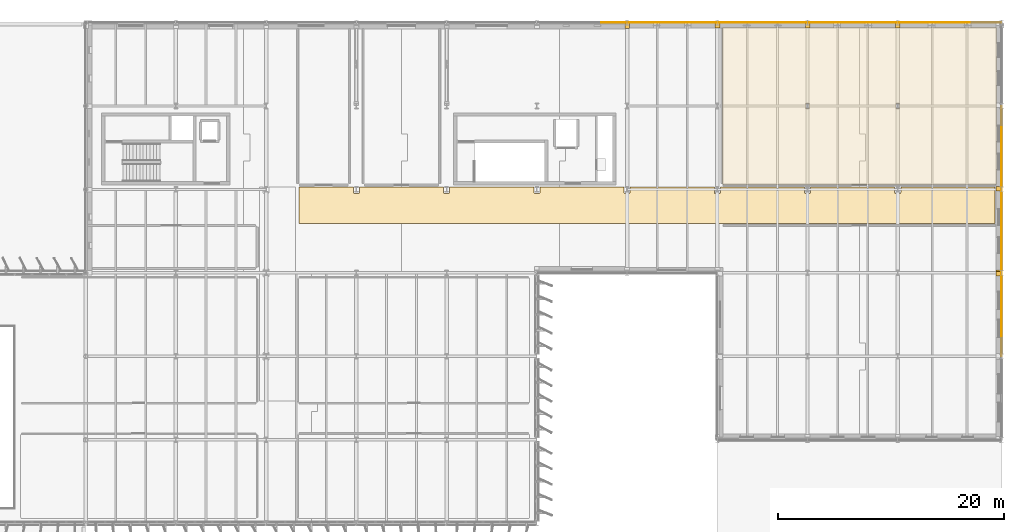
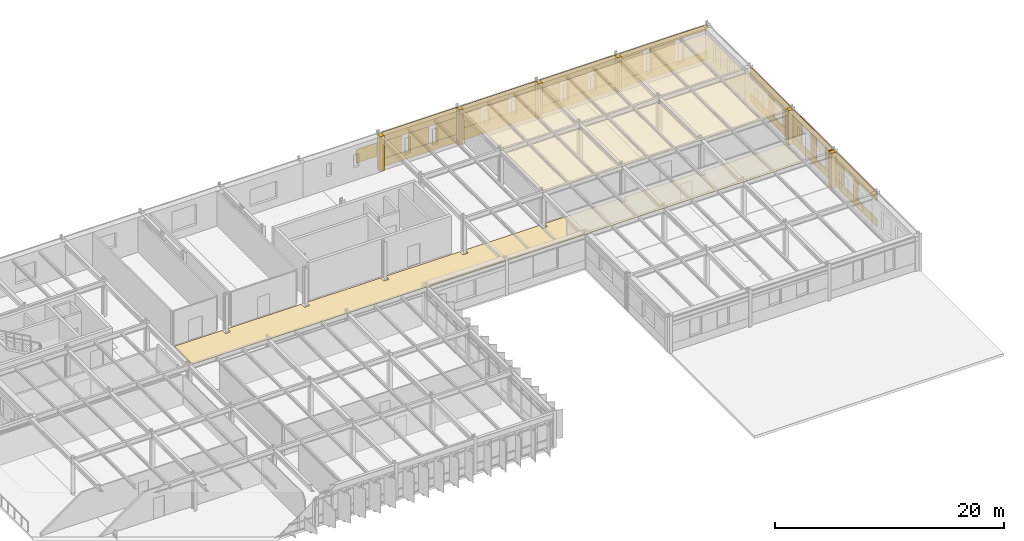
# One storey, part 55 of 56: 42 coverings.
"""IFC4 building model written with IfcOpenShell, lengths in metres."""

from ifc_helpers import new_model, si_unit, direction, frame, frame_2d, origin, origin_2d, place, context, subcontext, project, spatial, polyline, rectangle, outline, extrude, material, layer, layer_set, type_object, element, save


model = new_model("IFC4")

# Units and contexts
model_context = context("Model", 3, precision=1e-05, world=origin(), true_north=direction((0.0, 1.0)))
body_context = subcontext(model_context, "Body", "Model", "MODEL_VIEW")
ifc_project = project(units=[si_unit("LENGTHUNIT", "METRE"), si_unit("AREAUNIT", "SQUARE_METRE"), si_unit("VOLUMEUNIT", "CUBIC_METRE"), si_unit("PLANEANGLEUNIT", "RADIAN"), si_unit("MASSUNIT", "GRAM", prefix="KILO")], contexts=[model_context])

# Site, building, storey
site_placement = place(None, origin())
site = spatial("IfcSite", under=ifc_project, at=site_placement, CompositionType="ELEMENT")
building_placement = place(site_placement, origin())
building = spatial("IfcBuilding", under=site, at=building_placement, Name="Valkorina Park Police Headquarters", CompositionType="ELEMENT")
storey_placement = place(building_placement, frame((0.0, 0.0, 14.10009765625)))
storey = spatial("IfcBuildingStorey", under=building, at=storey_placement, Name="L04", CompositionType="ELEMENT", Elevation=14.10009765625)

# Coverings
ifc_material_1 = material(Name="Acoustic mineral board")
ifc_layer_1 = layer(ifc_material_1, 0.02490234375)
ifc_layer_set_1 = layer_set([ifc_layer_1], Name="Acoustic mineral board")
covering_type_1 = type_object("IfcCoveringType", Name="COV-CEILING-ACOUST", PredefinedType="CEILING", material=ifc_layer_set_1)
covering_1_placement = place(storey_placement, frame((0.0, 0.0, 3.14501953125)))
element("IfcCovering", 1, at=covering_1_placement, inside=storey, type_object=covering_type_1, Name="Scanning Electron Microscopy Lab Acoustic Suspended Ceiling", PredefinedType="CEILING", context=body_context, shape_type="SweptSolid", body=[
    extrude(outline(polyline([(161.55859375, 67.1044921875), (161.5595703125, 67.1123046875), (161.56005859375, 67.1201171875), (161.56005859375, 80.8798828125), (161.5595703125, 80.8876953125), (161.55859375, 80.8955078125), (161.556640625, 80.9033203125), (161.553955078125, 80.91064453125), (161.550537109375, 80.917724609375), (161.54638671875, 80.92431640625), (161.541748046875, 80.930908203125), (161.53662109375, 80.9365234375), (161.53076171875, 80.94189453125), (161.5244140625, 80.946533203125), (161.517578125, 80.95068359375), (161.510498046875, 80.953857421875), (161.503173828125, 80.95654296875), (161.49560546875, 80.95849609375), (161.48779296875, 80.959716796875), (161.47998046875, 80.9599609375), (137.320068359375, 80.9599609375), (137.312255859375, 80.959716796875), (137.304443359375, 80.95849609375), (137.296875, 80.95654296875), (137.289306640625, 80.953857421875), (137.2822265625, 80.95068359375), (137.275634765625, 80.946533203125), (137.269287109375, 80.94189453125), (137.263427734375, 80.9365234375), (137.25830078125, 80.930908203125), (137.25341796875, 80.92431640625), (137.24951171875, 80.917724609375), (137.24609375, 80.91064453125), (137.243408203125, 80.9033203125), (137.241455078125, 80.8955078125), (137.240478515625, 80.8876953125), (137.239990234375, 80.8798828125), (137.239990234375, 67.1201171875), (137.240478515625, 67.1123046875), (137.241455078125, 67.1044921875), (137.243408203125, 67.0966796875), (137.24609375, 67.08935546875), (137.24951171875, 67.082275390625), (137.25341796875, 67.07568359375), (137.25830078125, 67.069091796875), (137.263427734375, 67.0634765625), (137.269287109375, 67.05810546875), (137.275634765625, 67.053466796875), (137.2822265625, 67.04931640625), (137.289306640625, 67.046142578125), (137.296875, 67.04345703125), (137.304443359375, 67.04150390625), (137.312255859375, 67.040283203125), (137.320068359375, 67.0400390625), (161.47998046875, 67.0400390625), (161.48779296875, 67.040283203125), (161.49560546875, 67.04150390625), (161.503173828125, 67.04345703125), (161.510498046875, 67.046142578125), (161.517578125, 67.04931640625), (161.5244140625, 67.053466796875), (161.53076171875, 67.05810546875), (161.53662109375, 67.0634765625), (161.541748046875, 67.069091796875), (161.54638671875, 67.07568359375), (161.550537109375, 67.082275390625), (161.553955078125, 67.08935546875), (161.556640625, 67.0966796875), (161.55859375, 67.1044921875)]), holes=[polyline([(152.64990234375, 74.22509765625), (152.949951171875, 74.22509765625), (152.949951171875, 73.77490234375), (152.64990234375, 73.77490234375), (152.64990234375, 74.22509765625)]), polyline([(144.949951171875, 74.22509765625), (144.949951171875, 73.77490234375), (144.64990234375, 73.77490234375), (144.64990234375, 74.22509765625), (144.949951171875, 74.22509765625)])]), origin(), (0.0, 0.0, 1.0), 0.02490234375),
])
ifc_material_2 = material(Name="Precast concrete C40/50", Category="concrete")
ifc_layer_2 = layer(ifc_material_2, 0.044921875)
ifc_layer_set_2 = layer_set([ifc_layer_2], Name="Precast concrete C40/50")
covering_type_2 = type_object("IfcCoveringType", Name="COV-CLAD-DOLOMITE", PredefinedType="CLADDING", material=ifc_layer_set_2)
covering_2_placement = place(storey_placement, frame((128.81005859375, 81.110107421875, 0.0), z_axis=(0.0, 0.0, 1.0), x_axis=(1.0, 0.0, 0.0)))
element("IfcCovering", 2, at=covering_2_placement, inside=storey, type_object=covering_type_2, Name="L04 Exterior Joint Closure Pilaster B 2272", PredefinedType="CLADDING", context=body_context, shape_type="SweptSolid", body=[
    extrude(rectangle(XDim=0.419921875, YDim=0.52197265625, at=origin_2d()), origin(), (0.0, 0.0, 1.0), 3.739990234375),
])
covering_3_placement = place(storey_placement, frame((126.50732421875, 81.4150390625, 1.31982421875), z_axis=(0.0, 0.0, 1.0), x_axis=(1.0, 0.0, 0.0)))
element("IfcCovering", 3, at=covering_3_placement, inside=storey, type_object=covering_type_2, Name="L04 Calm Concrete Base Slot Pier 2277", PredefinedType="CLADDING", context=body_context, shape_type="SweptSolid", body=[
    extrude(rectangle(XDim=2.272705078125, YDim=0.044921875, at=frame_2d((1.13623046875, 0.0))), origin(), (0.0, 0.0, 1.0), 1.4599609375),
])
covering_4_placement = place(storey_placement, frame((136.81005859375, 81.14990234375, 0.0), z_axis=(0.0, 0.0, 1.0), x_axis=(1.0, 0.0, 0.0)))
element("IfcCovering", 4, at=covering_4_placement, inside=storey, type_object=covering_type_2, Name="L04 Exterior Joint Closure Pilaster B 2278", PredefinedType="CLADDING", context=body_context, shape_type="SweptSolid", body=[
    extrude(rectangle(XDim=0.419921875, YDim=0.449951171875, at=origin_2d()), origin(), (0.0, 0.0, 1.0), 3.719970703125),
])
covering_5_placement = place(storey_placement, frame((128.820068359375, 81.4150390625, 0.0), z_axis=(0.0, 0.0, 1.0), x_axis=(1.0, 0.0, 0.0)))
element("IfcCovering", 5, at=covering_5_placement, inside=storey, type_object=covering_type_2, Name="L04 Calm Concrete Base Sill Spandrel 2279", PredefinedType="CLADDING", context=body_context, shape_type="SweptSolid", body=[
    extrude(rectangle(XDim=7.9599609375, YDim=0.044921875, at=frame_2d((3.97998046875, 0.0))), origin(), (0.0, 0.0, 1.0), 0.869873046875),
])
covering_6_placement = place(storey_placement, frame((128.820068359375, 81.4150390625, 2.679931640625), z_axis=(0.0, 0.0, 1.0), x_axis=(1.0, 0.0, 0.0)))
element("IfcCovering", 6, at=covering_6_placement, inside=storey, type_object=covering_type_2, Name="L04 Calm Concrete Base Lintel Spandrel 2280", PredefinedType="CLADDING", context=body_context, shape_type="SweptSolid", body=[
    extrude(rectangle(XDim=7.9599609375, YDim=0.044921875, at=frame_2d((3.97998046875, 0.0))), origin(), (0.0, 0.0, 1.0), 1.0400390625),
])
covering_7_placement = place(storey_placement, frame((128.820068359375, 81.4150390625, 0.869873046875), z_axis=(0.0, 0.0, 1.0), x_axis=(1.0, 0.0, 0.0)))
element("IfcCovering", 7, at=covering_7_placement, inside=storey, type_object=covering_type_2, Name="L04 Calm Concrete Base Slot Pier 2281", PredefinedType="CLADDING", context=body_context, shape_type="SweptSolid", body=[
    extrude(rectangle(XDim=2.2724609375, YDim=0.044921875, at=frame_2d((1.13623046875, 0.0))), origin(), (0.0, 0.0, 1.0), 1.81005859375),
])
covering_8_placement = place(storey_placement, frame((131.74267578125, 81.4150390625, 0.869873046875), z_axis=(0.0, 0.0, 1.0), x_axis=(1.0, 0.0, 0.0)))
element("IfcCovering", 8, at=covering_8_placement, inside=storey, type_object=covering_type_2, Name="L04 Calm Concrete Base Slot Pier 2282", PredefinedType="CLADDING", context=body_context, shape_type="SweptSolid", body=[
    extrude(rectangle(XDim=2.11474609375, YDim=0.044921875, at=frame_2d((1.057373046875, 0.0))), origin(), (0.0, 0.0, 1.0), 1.81005859375),
])
covering_9_placement = place(storey_placement, frame((134.50732421875, 81.4150390625, 0.869873046875), z_axis=(0.0, 0.0, 1.0), x_axis=(1.0, 0.0, 0.0)))
element("IfcCovering", 9, at=covering_9_placement, inside=storey, type_object=covering_type_2, Name="L04 Calm Concrete Base Slot Pier 2283", PredefinedType="CLADDING", context=body_context, shape_type="SweptSolid", body=[
    extrude(rectangle(XDim=2.272705078125, YDim=0.044921875, at=frame_2d((1.13623046875, 0.0))), origin(), (0.0, 0.0, 1.0), 1.81005859375),
])
covering_10_placement = place(storey_placement, frame((144.81005859375, 81.14990234375, 0.0), z_axis=(0.0, 0.0, 1.0), x_axis=(1.0, 0.0, 0.0)))
element("IfcCovering", 10, at=covering_10_placement, inside=storey, type_object=covering_type_2, Name="L04 Exterior Joint Closure Pilaster B 2284", PredefinedType="CLADDING", context=body_context, shape_type="SweptSolid", body=[
    extrude(rectangle(XDim=0.419921875, YDim=0.449951171875, at=origin_2d()), origin(), (0.0, 0.0, 1.0), 3.719970703125),
])
covering_11_placement = place(storey_placement, frame((136.820068359375, 81.4150390625, 0.0), z_axis=(0.0, 0.0, 1.0), x_axis=(1.0, 0.0, 0.0)))
element("IfcCovering", 11, at=covering_11_placement, inside=storey, type_object=covering_type_2, Name="L04 Calm Concrete Base Sill Spandrel 2285", PredefinedType="CLADDING", context=body_context, shape_type="SweptSolid", body=[
    extrude(rectangle(XDim=7.9599609375, YDim=0.044921875, at=frame_2d((3.97998046875, 0.0))), origin(), (0.0, 0.0, 1.0), 1.31982421875),
])
covering_12_placement = place(storey_placement, frame((136.820068359375, 81.4150390625, 2.8798828125), z_axis=(0.0, 0.0, 1.0), x_axis=(1.0, 0.0, 0.0)))
element("IfcCovering", 12, at=covering_12_placement, inside=storey, type_object=covering_type_2, Name="L04 Calm Concrete Base Lintel Spandrel 2286", PredefinedType="CLADDING", context=body_context, shape_type="SweptSolid", body=[
    extrude(rectangle(XDim=7.9599609375, YDim=0.044921875, at=frame_2d((3.97998046875, 0.0))), origin(), (0.0, 0.0, 1.0), 0.840087890625),
])
covering_13_placement = place(storey_placement, frame((136.820068359375, 81.4150390625, 1.31982421875), z_axis=(0.0, 0.0, 1.0), x_axis=(1.0, 0.0, 0.0)))
element("IfcCovering", 13, at=covering_13_placement, inside=storey, type_object=covering_type_2, Name="L04 Calm Concrete Base Slot Pier 2287", PredefinedType="CLADDING", context=body_context, shape_type="SweptSolid", body=[
    extrude(rectangle(XDim=2.24755859375, YDim=0.044921875, at=frame_2d((1.123779296875, 0.0))), origin(), (0.0, 0.0, 1.0), 1.56005859375),
])
covering_14_placement = place(storey_placement, frame((139.767578125, 81.4150390625, 1.31982421875), z_axis=(0.0, 0.0, 1.0), x_axis=(1.0, 0.0, 0.0)))
element("IfcCovering", 14, at=covering_14_placement, inside=storey, type_object=covering_type_2, Name="L04 Calm Concrete Base Slot Pier 2288", PredefinedType="CLADDING", context=body_context, shape_type="SweptSolid", body=[
    extrude(rectangle(XDim=2.06494140625, YDim=0.044921875, at=frame_2d((1.032470703125, 0.0))), origin(), (0.0, 0.0, 1.0), 1.56005859375),
])
covering_15_placement = place(storey_placement, frame((142.532470703125, 81.4150390625, 1.31982421875), z_axis=(0.0, 0.0, 1.0), x_axis=(1.0, 0.0, 0.0)))
element("IfcCovering", 15, at=covering_15_placement, inside=storey, type_object=covering_type_2, Name="L04 Calm Concrete Base Slot Pier 2289", PredefinedType="CLADDING", context=body_context, shape_type="SweptSolid", body=[
    extrude(rectangle(XDim=2.24755859375, YDim=0.044921875, at=frame_2d((1.123779296875, 0.0))), origin(), (0.0, 0.0, 1.0), 1.56005859375),
])
covering_16_placement = place(storey_placement, frame((152.81005859375, 81.14990234375, 0.0), z_axis=(0.0, 0.0, 1.0), x_axis=(1.0, 0.0, 0.0)))
element("IfcCovering", 16, at=covering_16_placement, inside=storey, type_object=covering_type_2, Name="L04 Exterior Joint Closure Pilaster B 2290", PredefinedType="CLADDING", context=body_context, shape_type="SweptSolid", body=[
    extrude(rectangle(XDim=0.419921875, YDim=0.449951171875, at=origin_2d()), origin(), (0.0, 0.0, 1.0), 3.719970703125),
])
covering_17_placement = place(storey_placement, frame((144.820068359375, 81.4150390625, 0.0), z_axis=(0.0, 0.0, 1.0), x_axis=(1.0, 0.0, 0.0)))
element("IfcCovering", 17, at=covering_17_placement, inside=storey, type_object=covering_type_2, Name="L04 Calm Concrete Base Sill Spandrel 2291", PredefinedType="CLADDING", context=body_context, shape_type="SweptSolid", body=[
    extrude(rectangle(XDim=7.9599609375, YDim=0.044921875, at=frame_2d((3.97998046875, 0.0))), origin(), (0.0, 0.0, 1.0), 0.869873046875),
])
covering_18_placement = place(storey_placement, frame((144.820068359375, 81.4150390625, 2.77978515625), z_axis=(0.0, 0.0, 1.0), x_axis=(1.0, 0.0, 0.0)))
element("IfcCovering", 18, at=covering_18_placement, inside=storey, type_object=covering_type_2, Name="L04 Calm Concrete Base Lintel Spandrel 2292", PredefinedType="CLADDING", context=body_context, shape_type="SweptSolid", body=[
    extrude(rectangle(XDim=7.9599609375, YDim=0.044921875, at=frame_2d((3.97998046875, 0.0))), origin(), (0.0, 0.0, 1.0), 0.940185546875),
])
covering_19_placement = place(storey_placement, frame((144.820068359375, 81.4150390625, 0.869873046875), z_axis=(0.0, 0.0, 1.0), x_axis=(1.0, 0.0, 0.0)))
element("IfcCovering", 19, at=covering_19_placement, inside=storey, type_object=covering_type_2, Name="L04 Calm Concrete Base Slot Pier 2293", PredefinedType="CLADDING", context=body_context, shape_type="SweptSolid", body=[
    extrude(rectangle(XDim=2.24755859375, YDim=0.044921875, at=frame_2d((1.123779296875, 0.0))), origin(), (0.0, 0.0, 1.0), 1.909912109375),
])
covering_20_placement = place(storey_placement, frame((147.767578125, 81.4150390625, 0.869873046875), z_axis=(0.0, 0.0, 1.0), x_axis=(1.0, 0.0, 0.0)))
element("IfcCovering", 20, at=covering_20_placement, inside=storey, type_object=covering_type_2, Name="L04 Calm Concrete Base Slot Pier 2294", PredefinedType="CLADDING", context=body_context, shape_type="SweptSolid", body=[
    extrude(rectangle(XDim=2.06494140625, YDim=0.044921875, at=frame_2d((1.032470703125, 0.0))), origin(), (0.0, 0.0, 1.0), 1.909912109375),
])
covering_21_placement = place(storey_placement, frame((150.532470703125, 81.4150390625, 0.869873046875), z_axis=(0.0, 0.0, 1.0), x_axis=(1.0, 0.0, 0.0)))
element("IfcCovering", 21, at=covering_21_placement, inside=storey, type_object=covering_type_2, Name="L04 Calm Concrete Base Slot Pier 2295", PredefinedType="CLADDING", context=body_context, shape_type="SweptSolid", body=[
    extrude(rectangle(XDim=2.24755859375, YDim=0.044921875, at=frame_2d((1.123779296875, 0.0))), origin(), (0.0, 0.0, 1.0), 1.909912109375),
])
covering_22_placement = place(storey_placement, frame((152.820068359375, 81.4150390625, 0.0), z_axis=(0.0, 0.0, 1.0), x_axis=(1.0, 0.0, 0.0)))
element("IfcCovering", 22, at=covering_22_placement, inside=storey, type_object=covering_type_2, Name="L04 Calm Concrete Base Sill Spandrel 2297", PredefinedType="CLADDING", context=body_context, shape_type="SweptSolid", body=[
    extrude(rectangle(XDim=9.159912109375, YDim=0.044921875, at=frame_2d((4.580078125, 0.0))), origin(), (0.0, 0.0, 1.0), 0.869873046875),
])
covering_23_placement = place(storey_placement, frame((152.820068359375, 81.4150390625, 3.1298828125), z_axis=(0.0, 0.0, 1.0), x_axis=(1.0, 0.0, 0.0)))
element("IfcCovering", 23, at=covering_23_placement, inside=storey, type_object=covering_type_2, Name="L04 Calm Concrete Base Lintel Spandrel 2298", PredefinedType="CLADDING", context=body_context, shape_type="SweptSolid", body=[
    extrude(rectangle(XDim=9.159912109375, YDim=0.044921875, at=frame_2d((4.580078125, 0.0))), origin(), (0.0, 0.0, 1.0), 0.590087890625),
])
covering_24_placement = place(storey_placement, frame((152.820068359375, 81.4150390625, 0.869873046875), z_axis=(0.0, 0.0, 1.0), x_axis=(1.0, 0.0, 0.0)))
element("IfcCovering", 24, at=covering_24_placement, inside=storey, type_object=covering_type_2, Name="L04 Calm Concrete Base Slot Pier 2299", PredefinedType="CLADDING", context=body_context, shape_type="SweptSolid", body=[
    extrude(rectangle(XDim=2.631591796875, YDim=0.044921875, at=frame_2d((1.31591796875, 0.0))), origin(), (0.0, 0.0, 1.0), 2.260009765625),
])
covering_25_placement = place(storey_placement, frame((156.151611328125, 81.4150390625, 0.869873046875), z_axis=(0.0, 0.0, 1.0), x_axis=(1.0, 0.0, 0.0)))
element("IfcCovering", 25, at=covering_25_placement, inside=storey, type_object=covering_type_2, Name="L04 Calm Concrete Base Slot Pier 2300", PredefinedType="CLADDING", context=body_context, shape_type="SweptSolid", body=[
    extrude(rectangle(XDim=2.496826171875, YDim=0.044921875, at=frame_2d((1.24853515625, 0.0))), origin(), (0.0, 0.0, 1.0), 2.260009765625),
])
covering_26_placement = place(storey_placement, frame((161.75, 66.6650390625, 0.0), z_axis=(0.0, 0.0, 1.0), x_axis=(0.0, 1.0, 0.0)))
element("IfcCovering", 26, at=covering_26_placement, inside=storey, type_object=covering_type_2, Name="L04 Exterior Joint Closure Pilaster B 2309", PredefinedType="CLADDING", context=body_context, shape_type="SweptSolid", body=[
    extrude(rectangle(XDim=0.419921875, YDim=0.449951171875, at=origin_2d()), origin(), (0.0, 0.0, 1.0), 3.719970703125),
])
covering_27_placement = place(storey_placement, frame((162.014892578125, 73.97998046875, 0.0), z_axis=(0.0, 0.0, 1.0), x_axis=(0.0, -1.0, 0.0)))
element("IfcCovering", 27, at=covering_27_placement, inside=storey, type_object=covering_type_2, Name="L04 Calm Concrete Base Sill Spandrel 2310", PredefinedType="CLADDING", context=body_context, shape_type="SweptSolid", body=[
    extrude(rectangle(XDim=7.35986328125, YDim=0.044921875, at=frame_2d((3.679931640625, 0.0))), origin(), (0.0, 0.0, 1.0), 0.869873046875),
])
covering_28_placement = place(storey_placement, frame((162.014892578125, 73.97998046875, 2.679931640625), z_axis=(0.0, 0.0, 1.0), x_axis=(0.0, -1.0, 0.0)))
element("IfcCovering", 28, at=covering_28_placement, inside=storey, type_object=covering_type_2, Name="L04 Calm Concrete Base Lintel Spandrel 2311", PredefinedType="CLADDING", context=body_context, shape_type="SweptSolid", body=[
    extrude(rectangle(XDim=7.35986328125, YDim=0.044921875, at=frame_2d((3.679931640625, 0.0))), origin(), (0.0, 0.0, 1.0), 1.0400390625),
])
covering_29_placement = place(storey_placement, frame((162.014892578125, 70.79736328125, 0.869873046875), z_axis=(0.0, 0.0, 1.0), x_axis=(0.0, -1.0, 0.0)))
element("IfcCovering", 29, at=covering_29_placement, inside=storey, type_object=covering_type_2, Name="L04 Calm Concrete Base Slot Pier 2313", PredefinedType="CLADDING", context=body_context, shape_type="SweptSolid", body=[
    extrude(rectangle(XDim=0.994873046875, YDim=0.044921875, at=frame_2d((0.49755859375, 0.0))), origin(), (0.0, 0.0, 1.0), 1.81005859375),
])
covering_30_placement = place(storey_placement, frame((162.014892578125, 68.302490234375, 0.869873046875), z_axis=(0.0, 0.0, 1.0), x_axis=(0.0, -1.0, 0.0)))
element("IfcCovering", 30, at=covering_30_placement, inside=storey, type_object=covering_type_2, Name="L04 Calm Concrete Base Slot Pier 2314", PredefinedType="CLADDING", context=body_context, shape_type="SweptSolid", body=[
    extrude(rectangle(XDim=1.682373046875, YDim=0.044921875, at=frame_2d((0.84130859375, 0.0))), origin(), (0.0, 0.0, 1.0), 1.81005859375),
])
covering_31_placement = place(storey_placement, frame((161.75, 59.264892578125, 0.0), z_axis=(0.0, 0.0, 1.0), x_axis=(0.0, 1.0, 0.0)))
element("IfcCovering", 31, at=covering_31_placement, inside=storey, type_object=covering_type_2, Name="L04 Exterior Joint Closure Pilaster B 2315", PredefinedType="CLADDING", context=body_context, shape_type="SweptSolid", body=[
    extrude(rectangle(XDim=0.419921875, YDim=0.449951171875, at=origin_2d()), origin(), (0.0, 0.0, 1.0), 3.719970703125),
])
covering_32_placement = place(storey_placement, frame((162.014892578125, 66.580078125, 0.0), z_axis=(0.0, 0.0, 1.0), x_axis=(0.0, -1.0, 0.0)))
element("IfcCovering", 32, at=covering_32_placement, inside=storey, type_object=covering_type_2, Name="L04 Calm Concrete Base Sill Spandrel 2316", PredefinedType="CLADDING", context=body_context, shape_type="SweptSolid", body=[
    extrude(rectangle(XDim=7.360107421875, YDim=0.044921875, at=frame_2d((3.68017578125, 0.0))), origin(), (0.0, 0.0, 1.0), 0.869873046875),
])
covering_33_placement = place(storey_placement, frame((162.014892578125, 66.580078125, 3.079833984375), z_axis=(0.0, 0.0, 1.0), x_axis=(0.0, -1.0, 0.0)))
element("IfcCovering", 33, at=covering_33_placement, inside=storey, type_object=covering_type_2, Name="L04 Calm Concrete Base Lintel Spandrel 2317", PredefinedType="CLADDING", context=body_context, shape_type="SweptSolid", body=[
    extrude(rectangle(XDim=7.360107421875, YDim=0.044921875, at=frame_2d((3.68017578125, 0.0))), origin(), (0.0, 0.0, 1.0), 0.64013671875),
])
covering_34_placement = place(storey_placement, frame((162.014892578125, 66.580078125, 0.869873046875), z_axis=(0.0, 0.0, 1.0), x_axis=(0.0, -1.0, 0.0)))
element("IfcCovering", 34, at=covering_34_placement, inside=storey, type_object=covering_type_2, Name="L04 Calm Concrete Base Slot Pier 2318", PredefinedType="CLADDING", context=body_context, shape_type="SweptSolid", body=[
    extrude(rectangle(XDim=1.6826171875, YDim=0.044921875, at=frame_2d((0.84130859375, 0.0))), origin(), (0.0, 0.0, 1.0), 2.2099609375),
])
covering_35_placement = place(storey_placement, frame((162.014892578125, 63.3974609375, 0.869873046875), z_axis=(0.0, 0.0, 1.0), x_axis=(0.0, -1.0, 0.0)))
element("IfcCovering", 35, at=covering_35_placement, inside=storey, type_object=covering_type_2, Name="L04 Calm Concrete Base Slot Pier 2319", PredefinedType="CLADDING", context=body_context, shape_type="SweptSolid", body=[
    extrude(rectangle(XDim=0.994873046875, YDim=0.044921875, at=frame_2d((0.49755859375, 0.0))), origin(), (0.0, 0.0, 1.0), 2.2099609375),
])
covering_36_placement = place(storey_placement, frame((162.014892578125, 60.902587890625, 0.869873046875), z_axis=(0.0, 0.0, 1.0), x_axis=(0.0, -1.0, 0.0)))
element("IfcCovering", 36, at=covering_36_placement, inside=storey, type_object=covering_type_2, Name="L04 Calm Concrete Base Slot Pier 2320", PredefinedType="CLADDING", context=body_context, shape_type="SweptSolid", body=[
    extrude(rectangle(XDim=1.6826171875, YDim=0.044921875, at=frame_2d((0.84130859375, 0.0))), origin(), (0.0, 0.0, 1.0), 2.2099609375),
])
covering_37_placement = place(storey_placement, frame((161.75, 59.135009765625, 0.0), z_axis=(0.0, 0.0, 1.0), x_axis=(0.0, 1.0, 0.0)))
element("IfcCovering", 37, at=covering_37_placement, inside=storey, type_object=covering_type_2, Name="L04 Exterior Joint Closure Pilaster A 2321", PredefinedType="CLADDING", context=body_context, shape_type="SweptSolid", body=[
    extrude(rectangle(XDim=0.419921875, YDim=0.449951171875, at=origin_2d()), origin(), (0.0, 0.0, 1.0), 3.719970703125),
])
covering_38_placement = place(storey_placement, frame((162.014892578125, 59.179931640625, 0.0), z_axis=(0.0, 0.0, 1.0), x_axis=(0.0, -1.0, 0.0)))
element("IfcCovering", 38, at=covering_38_placement, inside=storey, type_object=covering_type_2, Name="L04 Calm Concrete Base Sill Spandrel 2323", PredefinedType="CLADDING", context=body_context, shape_type="SweptSolid", body=[
    extrude(rectangle(XDim=7.35986328125, YDim=0.044921875, at=frame_2d((3.679931640625, 0.0))), origin(), (0.0, 0.0, 1.0), 0.869873046875),
])
covering_39_placement = place(storey_placement, frame((162.014892578125, 59.179931640625, 2.77978515625), z_axis=(0.0, 0.0, 1.0), x_axis=(0.0, -1.0, 0.0)))
element("IfcCovering", 39, at=covering_39_placement, inside=storey, type_object=covering_type_2, Name="L04 Calm Concrete Base Lintel Spandrel 2324", PredefinedType="CLADDING", context=body_context, shape_type="SweptSolid", body=[
    extrude(rectangle(XDim=7.35986328125, YDim=0.044921875, at=frame_2d((3.679931640625, 0.0))), origin(), (0.0, 0.0, 1.0), 0.940185546875),
])
covering_40_placement = place(storey_placement, frame((162.014892578125, 59.179931640625, 0.869873046875), z_axis=(0.0, 0.0, 1.0), x_axis=(0.0, -1.0, 0.0)))
element("IfcCovering", 40, at=covering_40_placement, inside=storey, type_object=covering_type_2, Name="L04 Calm Concrete Base Slot Pier 2325", PredefinedType="CLADDING", context=body_context, shape_type="SweptSolid", body=[
    extrude(rectangle(XDim=1.607421875, YDim=0.044921875, at=frame_2d((0.8037109375, 0.0))), origin(), (0.0, 0.0, 1.0), 1.909912109375),
])
covering_41_placement = place(storey_placement, frame((162.014892578125, 55.92236328125, 0.869873046875), z_axis=(0.0, 0.0, 1.0), x_axis=(0.0, -1.0, 0.0)))
element("IfcCovering", 41, at=covering_41_placement, inside=storey, type_object=covering_type_2, Name="L04 Calm Concrete Base Slot Pier 2326", PredefinedType="CLADDING", context=body_context, shape_type="SweptSolid", body=[
    extrude(rectangle(XDim=0.8447265625, YDim=0.044921875, at=frame_2d((0.42236328125, 0.0))), origin(), (0.0, 0.0, 1.0), 1.909912109375),
])
ifc_material_3 = material(Name="Resin terrazzo flooring")
ifc_layer_3 = layer(ifc_material_3, 0.030029296875)
ifc_layer_set_3 = layer_set([ifc_layer_3], Name="Resin terrazzo flooring")
covering_type_3 = type_object("IfcCoveringType", Name="COV-FLOOR-TERRAZZO", PredefinedType="FLOORING", material=ifc_layer_set_3)
covering_42_placement = place(storey_placement, origin())
element("IfcCovering", 42, at=covering_42_placement, inside=storey, type_object=covering_type_3, Name="L04 Instrument Wing Corridor Terrazzo Flooring", PredefinedType="FLOORING", context=body_context, shape_type="SweptSolid", body=[
    extrude(outline(polyline([(104.530029296875, 66.800048828125), (99.719970703125, 66.800048828125), (99.719970703125, 63.60009765625), (161.39990234375, 63.60009765625), (161.39990234375, 66.800048828125), (153.070068359375, 66.800048828125), (153.070068359375, 66.3349609375), (153.069580078125, 66.3271484375), (153.068603515625, 66.3193359375), (153.066650390625, 66.311767578125), (153.06396484375, 66.304443359375), (153.060546875, 66.29736328125), (153.056396484375, 66.29052734375), (153.0517578125, 66.2841796875), (153.046630859375, 66.2783203125), (153.040771484375, 66.273193359375), (153.034423828125, 66.2685546875), (153.027587890625, 66.264404296875), (153.0205078125, 66.260986328125), (153.01318359375, 66.25830078125), (153.005615234375, 66.256591796875), (152.997802734375, 66.25537109375), (152.989990234375, 66.2548828125), (152.610107421875, 66.2548828125), (152.602294921875, 66.25537109375), (152.594482421875, 66.256591796875), (152.5869140625, 66.25830078125), (152.579345703125, 66.260986328125), (152.572265625, 66.264404296875), (152.565673828125, 66.2685546875), (152.55908203125, 66.273193359375), (152.553466796875, 66.2783203125), (152.548095703125, 66.2841796875), (152.54345703125, 66.29052734375), (152.539306640625, 66.29736328125), (152.5361328125, 66.304443359375), (152.533447265625, 66.311767578125), (152.531494140625, 66.3193359375), (152.530517578125, 66.3271484375), (152.530029296875, 66.3349609375), (152.530029296875, 66.800048828125), (145.070068359375, 66.800048828125), (145.070068359375, 66.3349609375), (145.069580078125, 66.3271484375), (145.068603515625, 66.3193359375), (145.066650390625, 66.311767578125), (145.06396484375, 66.304443359375), (145.060546875, 66.29736328125), (145.056396484375, 66.29052734375), (145.0517578125, 66.2841796875), (145.046630859375, 66.2783203125), (145.040771484375, 66.273193359375), (145.034423828125, 66.2685546875), (145.027587890625, 66.264404296875), (145.0205078125, 66.260986328125), (145.01318359375, 66.25830078125), (145.005615234375, 66.256591796875), (144.997802734375, 66.25537109375), (144.989990234375, 66.2548828125), (144.610107421875, 66.2548828125), (144.602294921875, 66.25537109375), (144.594482421875, 66.256591796875), (144.5869140625, 66.25830078125), (144.579345703125, 66.260986328125), (144.572265625, 66.264404296875), (144.565673828125, 66.2685546875), (144.55908203125, 66.273193359375), (144.553466796875, 66.2783203125), (144.548095703125, 66.2841796875), (144.54345703125, 66.29052734375), (144.539306640625, 66.29736328125), (144.5361328125, 66.304443359375), (144.533447265625, 66.311767578125), (144.531494140625, 66.3193359375), (144.530517578125, 66.3271484375), (144.530029296875, 66.3349609375), (144.530029296875, 66.800048828125), (137.070068359375, 66.800048828125), (137.070068359375, 66.3349609375), (137.069580078125, 66.3271484375), (137.068603515625, 66.3193359375), (137.066650390625, 66.311767578125), (137.06396484375, 66.304443359375), (137.060546875, 66.29736328125), (137.056396484375, 66.29052734375), (137.0517578125, 66.2841796875), (137.046630859375, 66.2783203125), (137.040771484375, 66.273193359375), (137.034423828125, 66.2685546875), (137.027587890625, 66.264404296875), (137.0205078125, 66.260986328125), (137.01318359375, 66.25830078125), (137.005615234375, 66.256591796875), (136.997802734375, 66.25537109375), (136.989990234375, 66.2548828125), (136.610107421875, 66.2548828125), (136.602294921875, 66.25537109375), (136.594482421875, 66.256591796875), (136.5869140625, 66.25830078125), (136.579345703125, 66.260986328125), (136.572265625, 66.264404296875), (136.565673828125, 66.2685546875), (136.55908203125, 66.273193359375), (136.553466796875, 66.2783203125), (136.548095703125, 66.2841796875), (136.54345703125, 66.29052734375), (136.539306640625, 66.29736328125), (136.5361328125, 66.304443359375), (136.533447265625, 66.311767578125), (136.531494140625, 66.3193359375), (136.530517578125, 66.3271484375), (136.530029296875, 66.3349609375), (136.530029296875, 66.800048828125), (129.070068359375, 66.800048828125), (129.070068359375, 66.3349609375), (129.069580078125, 66.3271484375), (129.068603515625, 66.3193359375), (129.066650390625, 66.311767578125), (129.06396484375, 66.304443359375), (129.060546875, 66.29736328125), (129.056396484375, 66.29052734375), (129.0517578125, 66.2841796875), (129.046630859375, 66.2783203125), (129.040771484375, 66.273193359375), (129.034423828125, 66.2685546875), (129.027587890625, 66.264404296875), (129.0205078125, 66.260986328125), (129.01318359375, 66.25830078125), (129.005615234375, 66.256591796875), (128.997802734375, 66.25537109375), (128.989990234375, 66.2548828125), (128.610107421875, 66.2548828125), (128.602294921875, 66.25537109375), (128.594482421875, 66.256591796875), (128.5869140625, 66.25830078125), (128.579345703125, 66.260986328125), (128.572265625, 66.264404296875), (128.565673828125, 66.2685546875), (128.55908203125, 66.273193359375), (128.553466796875, 66.2783203125), (128.548095703125, 66.2841796875), (128.54345703125, 66.29052734375), (128.539306640625, 66.29736328125), (128.5361328125, 66.304443359375), (128.533447265625, 66.311767578125), (128.531494140625, 66.3193359375), (128.530517578125, 66.3271484375), (128.530029296875, 66.3349609375), (128.530029296875, 66.800048828125), (121.070068359375, 66.800048828125), (121.070068359375, 66.3349609375), (121.069580078125, 66.3271484375), (121.068603515625, 66.3193359375), (121.066650390625, 66.311767578125), (121.06396484375, 66.304443359375), (121.060546875, 66.29736328125), (121.056396484375, 66.29052734375), (121.0517578125, 66.2841796875), (121.046630859375, 66.2783203125), (121.040771484375, 66.273193359375), (121.034423828125, 66.2685546875), (121.027587890625, 66.264404296875), (121.0205078125, 66.260986328125), (121.01318359375, 66.25830078125), (121.005615234375, 66.256591796875), (120.997802734375, 66.25537109375), (120.989990234375, 66.2548828125), (120.610107421875, 66.2548828125), (120.602294921875, 66.25537109375), (120.594482421875, 66.256591796875), (120.5869140625, 66.25830078125), (120.579345703125, 66.260986328125), (120.572265625, 66.264404296875), (120.565673828125, 66.2685546875), (120.55908203125, 66.273193359375), (120.553466796875, 66.2783203125), (120.548095703125, 66.2841796875), (120.54345703125, 66.29052734375), (120.539306640625, 66.29736328125), (120.5361328125, 66.304443359375), (120.533447265625, 66.311767578125), (120.531494140625, 66.3193359375), (120.530517578125, 66.3271484375), (120.530029296875, 66.3349609375), (120.530029296875, 66.800048828125), (113.070068359375, 66.800048828125), (113.070068359375, 66.3349609375), (113.069580078125, 66.3271484375), (113.068603515625, 66.3193359375), (113.066650390625, 66.311767578125), (113.06396484375, 66.304443359375), (113.060546875, 66.29736328125), (113.056396484375, 66.29052734375), (113.0517578125, 66.2841796875), (113.046630859375, 66.2783203125), (113.040771484375, 66.273193359375), (113.034423828125, 66.2685546875), (113.027587890625, 66.264404296875), (113.0205078125, 66.260986328125), (113.01318359375, 66.25830078125), (113.005615234375, 66.256591796875), (112.997802734375, 66.25537109375), (112.989990234375, 66.2548828125), (112.610107421875, 66.2548828125), (112.602294921875, 66.25537109375), (112.594482421875, 66.256591796875), (112.5869140625, 66.25830078125), (112.579345703125, 66.260986328125), (112.572265625, 66.264404296875), (112.565673828125, 66.2685546875), (112.55908203125, 66.273193359375), (112.553466796875, 66.2783203125), (112.548095703125, 66.2841796875), (112.54345703125, 66.29052734375), (112.539306640625, 66.29736328125), (112.5361328125, 66.304443359375), (112.533447265625, 66.311767578125), (112.531494140625, 66.3193359375), (112.530517578125, 66.3271484375), (112.530029296875, 66.3349609375), (112.530029296875, 66.800048828125), (105.070068359375, 66.800048828125), (105.070068359375, 66.3349609375), (105.069580078125, 66.3271484375), (105.068603515625, 66.3193359375), (105.066650390625, 66.311767578125), (105.06396484375, 66.304443359375), (105.060546875, 66.29736328125), (105.056396484375, 66.29052734375), (105.0517578125, 66.2841796875), (105.046630859375, 66.2783203125), (105.040771484375, 66.273193359375), (105.034423828125, 66.2685546875), (105.027587890625, 66.264404296875), (105.0205078125, 66.260986328125), (105.01318359375, 66.25830078125), (105.005615234375, 66.256591796875), (104.997802734375, 66.25537109375), (104.989990234375, 66.2548828125), (104.610107421875, 66.2548828125), (104.602294921875, 66.25537109375), (104.594482421875, 66.256591796875), (104.5869140625, 66.25830078125), (104.579345703125, 66.260986328125), (104.572265625, 66.264404296875), (104.565673828125, 66.2685546875), (104.55908203125, 66.273193359375), (104.553466796875, 66.2783203125), (104.548095703125, 66.2841796875), (104.54345703125, 66.29052734375), (104.539306640625, 66.29736328125), (104.5361328125, 66.304443359375), (104.533447265625, 66.311767578125), (104.531494140625, 66.3193359375), (104.530517578125, 66.3271484375), (104.530029296875, 66.3349609375), (104.530029296875, 66.800048828125)])), origin(), (0.0, 0.0, 1.0), 0.02978515625),
])

save(model, "model.ifc")
